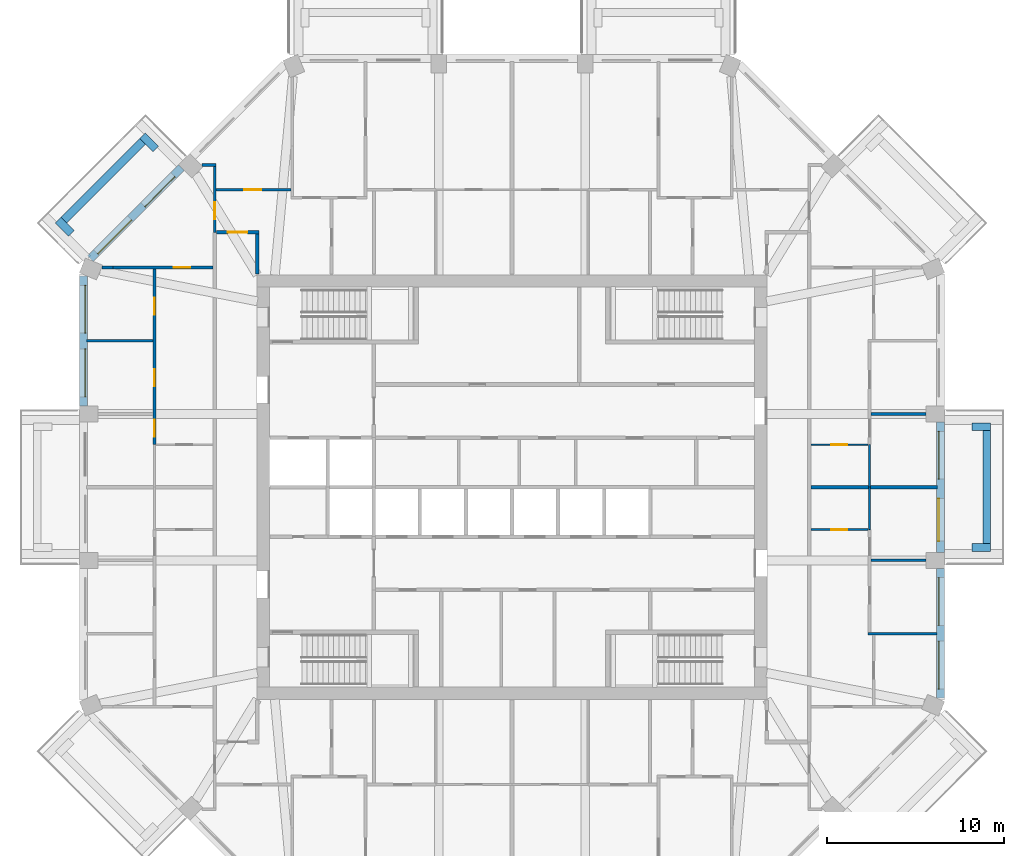
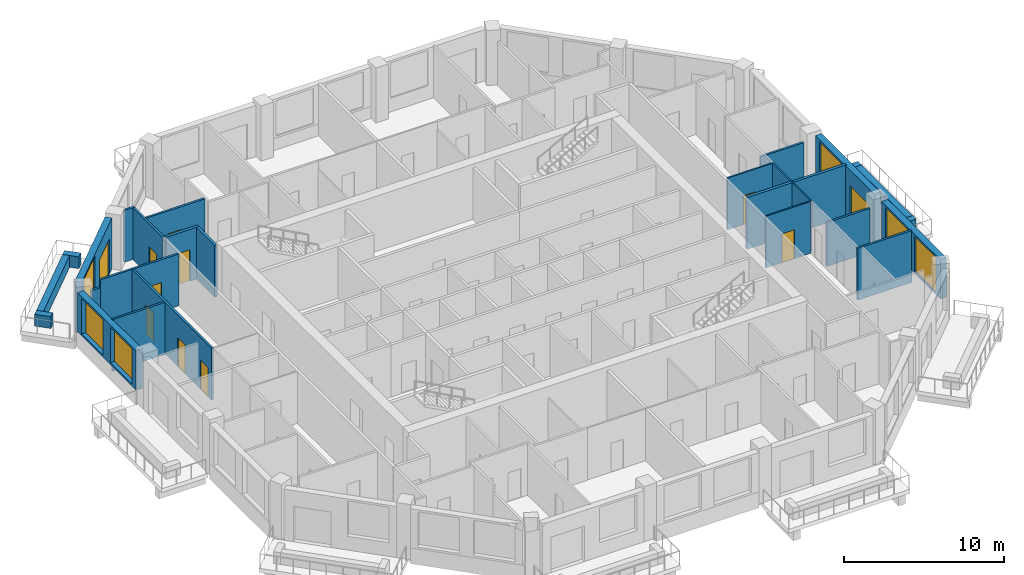
# One storey, part 7 of 12: 27 walls, 11 doors, 6 windows, 17 openings.
"""IFC4 building model written with IfcOpenShell, lengths in metres."""

from ifc_helpers import new_model, si_unit, direction, frame, frame_2d, origin, place, context, subcontext, project, spatial, rectangle, extrude, material, layer, layer_set, type_object, element, fill, save


model = new_model("IFC4")

# Units and contexts
model_context = context("Model", 3, precision=1e-05, world=origin(), true_north=direction((0.0, 1.0)))
body_context = subcontext(model_context, "Body", "Model", "MODEL_VIEW")
ifc_project = project(units=[si_unit("LENGTHUNIT", "METRE"), si_unit("AREAUNIT", "SQUARE_METRE"), si_unit("VOLUMEUNIT", "CUBIC_METRE"), si_unit("PLANEANGLEUNIT", "RADIAN"), si_unit("MASSUNIT", "GRAM", prefix="KILO")], contexts=[model_context])

# Site, building, storey
site_placement = place(None, origin())
site = spatial("IfcSite", under=ifc_project, at=site_placement, CompositionType="ELEMENT")
building_placement = place(site_placement, origin())
building = spatial("IfcBuilding", under=site, at=building_placement, Name="Msitu Wima Residences", CompositionType="ELEMENT")
storey_placement = place(building_placement, frame((0.0, 0.0, 183.300048828125)))
storey = spatial("IfcBuildingStorey", under=building, at=storey_placement, Name="L42", CompositionType="ELEMENT", Elevation=183.300048828125)

# Walls
ifc_material_1 = material(Name="Facing brick")
ifc_layer_1 = layer(ifc_material_1, 0.06494140625, Name="Facing brick")
ifc_material_2 = material(Name="Concrete C40/50", Category="concrete")
ifc_layer_2 = layer(ifc_material_2, 0.156005859375, Name="Concrete C40/50")
ifc_material_3 = material(Name="Waterproofing membrane")
ifc_layer_3 = layer(ifc_material_3, 0.00390625, Name="Waterproofing membrane")
ifc_material_4 = material(Name="Planting soil and planting")
ifc_layer_4 = layer(ifc_material_4, 0.22509765625, Name="Planting soil and planting")
ifc_layer_set_1 = layer_set([ifc_layer_1, ifc_layer_2, ifc_layer_3, ifc_layer_4], Name="Concrete C40/50")
wall_type_1 = type_object("IfcWallType", Name="Balcony planter PLANTER PL450", PredefinedType="USERDEFINED", material=ifc_layer_set_1)
wall_1_placement = place(storey_placement, frame((26.824951171875, -3.187255859375, 0.0), z_axis=(0.0, 0.0, 1.0), x_axis=(0.0, 1.0, 0.0)))
element("IfcWall", 1, at=wall_1_placement, inside=storey, type_object=wall_type_1, Name="Balcony planter E1 L42", ObjectType="PLANTER", PredefinedType="USERDEFINED", context=body_context, shape_type="SweptSolid", body=[
    extrude(rectangle(XDim=6.37451171875, YDim=0.449951171875, at=frame_2d((3.187255859375, 0.0))), origin(), (0.0, 0.0, 1.0), 0.89990234375),
])
for number, where, z_axis, x_axis, name in (
    (2, (26.0, -3.412353515625, 0.0), (0.0, 0.0, 1.0), (1.0, 0.0, 0.0), "Balcony planter E1 L42"),
    (3, (26.0, 3.412353515625, 0.0), (0.0, 0.0, 1.0), (1.0, 0.0, 0.0), "Balcony planter E1 L42"),
):
    element("IfcWall", number, at=place(storey_placement, frame(where, z_axis=z_axis, x_axis=x_axis)), inside=storey, type_object=wall_type_1, Name=name, ObjectType="PLANTER", PredefinedType="USERDEFINED", context=body_context, shape_type="SweptSolid", body=[
        extrude(rectangle(XDim=1.050048828125, YDim=0.449951171875, at=frame_2d((0.52490234375, 0.0))), origin(), (0.0, 0.0, 1.0), 0.89990234375),
    ])
wall_2_placement = place(storey_placement, frame((-20.875244140625, 19.53173828125, 0.0), z_axis=(0.0, 0.0, 1.0), x_axis=(-0.707106781187, -0.707106781187, 0.0)))
element("IfcWall", 4, at=wall_2_placement, inside=storey, type_object=wall_type_1, Name="Balcony planter NW1 L42", ObjectType="PLANTER", PredefinedType="USERDEFINED", context=body_context, shape_type="SweptSolid", body=[
    extrude(rectangle(XDim=6.294189453125, YDim=0.449951171875, at=frame_2d((3.14697265625, 0.0))), origin(), (0.0, 0.0, 1.0), 0.89990234375),
])
for number, where, z_axis, x_axis, name in (
    (5, (-20.1328125, 19.107421875, 0.0), (0.0, 0.0, 1.0), (-0.707106781187, 0.707106781187, 0.0), "Balcony planter NW1 L42"),
    (6, (-24.901611328125, 14.338623046875, 0.0), (0.0, 0.0, 1.0), (-0.707106781187, 0.707106781187, 0.0), "Balcony planter NW1 L42"),
):
    element("IfcWall", number, at=place(storey_placement, frame(where, z_axis=z_axis, x_axis=x_axis)), inside=storey, type_object=wall_type_1, Name=name, ObjectType="PLANTER", PredefinedType="USERDEFINED", context=body_context, shape_type="SweptSolid", body=[
        extrude(rectangle(XDim=1.050048828125, YDim=0.449951171875, at=frame_2d((0.52490234375, 0.0))), origin(), (0.0, 0.0, 1.0), 0.89990234375),
    ])

# Wall, openings, windows
ifc_material_5 = material(Name="Brick (red buff mix)", Category="masonry")
ifc_layer_5 = layer(ifc_material_5, 0.449951171875)
ifc_layer_set_2 = layer_set([ifc_layer_5], Name="Brick (red buff mix)")
wall_type_2 = type_object("IfcWallType", Name="Brick infill wall BW450", PredefinedType="SOLIDWALL", material=ifc_layer_set_2)
wall_3_placement = place(storey_placement, frame((24.22509765625, -11.9248046875, 0.89990234375), z_axis=(0.0, 0.0, 1.0), x_axis=(0.0, 1.0, 0.0)))
wall_3 = element("IfcWall", 7, at=wall_3_placement, inside=storey, type_object=wall_type_2, Name="Brick infill wall L42 E0", PredefinedType="SOLIDWALL", context=body_context, shape_type="SweptSolid", body=[
    extrude(rectangle(XDim=7.337646484375, YDim=0.449951171875, at=frame_2d((3.6689453125, 0.0))), origin(), (0.0, 0.0, 1.0), 3.0),
])
opening_1_placement = place(wall_3_placement, frame((0.518798828125, 0.0, 0.14990234375)))
opening_1 = element("IfcOpeningElement", 8, at=opening_1_placement, cuts=wall_3, Name="Opening W40-42.001", PredefinedType="OPENING", context=body_context, shape_type="SweptSolid", body=[
    extrude(rectangle(XDim=2.699951171875, YDim=2.699951171875, at=frame_2d((1.35009765625, 1.35009765625))), frame((0.0, 0.23486328125, 0.0), z_axis=(0.0, -1.0, 0.0), x_axis=(1.0, 0.0, 0.0)), (0.0, 0.0, 1.0), 0.469970703125),
])
opening_2_placement = place(wall_3_placement, frame((4.11865234375, 0.0, 0.14990234375)))
opening_2 = element("IfcOpeningElement", 9, at=opening_2_placement, cuts=wall_3, Name="Opening W40-42.002", PredefinedType="OPENING", context=body_context, shape_type="SweptSolid", body=[
    extrude(rectangle(XDim=2.699951171875, YDim=2.699951171875, at=frame_2d((1.35009765625, 1.35009765625))), frame((0.0, 0.23486328125, 0.0), z_axis=(0.0, -1.0, 0.0), x_axis=(1.0, 0.0, 0.0)), (0.0, 0.0, 1.0), 0.469970703125),
])
ifc_material_6 = material(Name="Anodised aluminium, bronze finish, clear low-emissivity double glazing", Category="aluminium")
window_type = type_object("IfcWindowType", Name="Window W2700x2700", PartitioningType="DOUBLE_PANEL_VERTICAL", PredefinedType="WINDOW", material=ifc_material_6)
window_1_placement = place(opening_1_placement, origin())
window_1 = element("IfcWindow", 10, at=window_1_placement, inside=storey, type_object=window_type, Name="Window L42 E0.1", OverallHeight=2.699951171875, OverallWidth=2.699951171875, PartitioningType="SINGLE_PANEL", PredefinedType="WINDOW", context=body_context, shape_type="SweptSolid", body=[
    extrude(rectangle(XDim=2.699951171875, YDim=2.699951171875, at=frame_2d((1.35009765625, 1.35009765625))), frame((0.0, 0.135009765625, 0.0), z_axis=(0.0, -1.0, 0.0), x_axis=(1.0, 0.0, 0.0)), (0.0, 0.0, 1.0), 0.06005859375),
])
fill(opening_1, window_1)
window_2_placement = place(opening_2_placement, origin())
window_2 = element("IfcWindow", 11, at=window_2_placement, inside=storey, type_object=window_type, Name="Window L42 E0.2", OverallHeight=2.699951171875, OverallWidth=2.699951171875, PartitioningType="SINGLE_PANEL", PredefinedType="WINDOW", context=body_context, shape_type="SweptSolid", body=[
    extrude(rectangle(XDim=2.699951171875, YDim=2.699951171875, at=frame_2d((1.35009765625, 1.35009765625))), frame((0.0, 0.135009765625, 0.0), z_axis=(0.0, -1.0, 0.0), x_axis=(1.0, 0.0, 0.0)), (0.0, 0.0, 1.0), 0.06005859375),
])
fill(opening_2, window_2)

# Wall, openings, door, window
wall_4_placement = place(storey_placement, frame((24.22509765625, -3.687255859375, 0.0), z_axis=(0.0, 0.0, 1.0), x_axis=(0.0, 1.0, 0.0)))
wall_4 = element("IfcWall", 12, at=wall_4_placement, inside=storey, type_object=wall_type_2, Name="Brick infill wall L42 E1", PredefinedType="SOLIDWALL", context=body_context, shape_type="SweptSolid", body=[
    extrude(rectangle(XDim=7.37451171875, YDim=0.449951171875, at=frame_2d((3.687255859375, 0.0))), origin(), (0.0, 0.0, 1.0), 3.89990234375),
])
opening_3_placement = place(wall_4_placement, frame((0.6435546875, 0.0, 0.0)))
opening_3 = element("IfcOpeningElement", 13, at=opening_3_placement, cuts=wall_4, Name="Opening D40-42.001", PredefinedType="OPENING", context=body_context, shape_type="SweptSolid", body=[
    extrude(rectangle(XDim=2.39990234375, YDim=2.699951171875, at=frame_2d((1.199951171875, 1.35009765625))), frame((0.0, 0.23486328125, 0.0), z_axis=(0.0, -1.0, 0.0), x_axis=(1.0, 0.0, 0.0)), (0.0, 0.0, 1.0), 0.469970703125),
])
opening_4_placement = place(wall_4_placement, frame((4.13720703125, 0.0, 1.050048828125)))
opening_4 = element("IfcOpeningElement", 14, at=opening_4_placement, cuts=wall_4, Name="Opening W40-42.003", PredefinedType="OPENING", context=body_context, shape_type="SweptSolid", body=[
    extrude(rectangle(XDim=2.699951171875, YDim=2.699951171875, at=frame_2d((1.35009765625, 1.35009765625))), frame((0.0, 0.23486328125, 0.0), z_axis=(0.0, -1.0, 0.0), x_axis=(1.0, 0.0, 0.0)), (0.0, 0.0, 1.0), 0.469970703125),
])
door_type_1 = type_object("IfcDoorType", Name="Balcony door D2400x2700", OperationType="SLIDING_TO_LEFT", PredefinedType="DOOR", material=ifc_material_6)
door_1_placement = place(opening_3_placement, origin())
door_1 = element("IfcDoor", 15, at=door_1_placement, inside=storey, type_object=door_type_1, Name="Balcony door L42 E1", OperationType="SINGLE_SWING_LEFT", OverallHeight=2.699951171875, OverallWidth=2.39990234375, PredefinedType="DOOR", context=body_context, shape_type="SweptSolid", body=[
    extrude(rectangle(XDim=2.39990234375, YDim=2.699951171875, at=frame_2d((1.199951171875, 1.35009765625))), frame((0.0, 0.1298828125, 0.0), z_axis=(0.0, -1.0, 0.0), x_axis=(1.0, 0.0, 0.0)), (0.0, 0.0, 1.0), 0.050048828125),
])
fill(opening_3, door_1)
window_3_placement = place(opening_4_placement, origin())
window_3 = element("IfcWindow", 16, at=window_3_placement, inside=storey, type_object=window_type, Name="Window L42 E1.2", OverallHeight=2.699951171875, OverallWidth=2.699951171875, PartitioningType="SINGLE_PANEL", PredefinedType="WINDOW", context=body_context, shape_type="SweptSolid", body=[
    extrude(rectangle(XDim=2.699951171875, YDim=2.699951171875, at=frame_2d((1.35009765625, 1.35009765625))), frame((0.0, 0.135009765625, 0.0), z_axis=(0.0, -1.0, 0.0), x_axis=(1.0, 0.0, 0.0)), (0.0, 0.0, 1.0), 0.06005859375),
])
fill(opening_4, window_3)

wall_5_placement = place(storey_placement, frame((-18.68310546875, 18.046875, 0.0), z_axis=(0.0, 0.0, 1.0), x_axis=(-0.707106781187, -0.707106781187, 0.0)))
wall_5 = element("IfcWall", 17, at=wall_5_placement, inside=storey, type_object=wall_type_2, Name="Brick infill wall L42 NW1", PredefinedType="SOLIDWALL", context=body_context, shape_type="SweptSolid", body=[
    extrude(rectangle(XDim=7.257080078125, YDim=0.449951171875, at=frame_2d((3.62841796875, 0.0))), origin(), (0.0, 0.0, 1.0), 3.89990234375),
])
opening_5_placement = place(wall_5_placement, frame((0.6142578125, 0.0, 0.0)))
opening_5 = element("IfcOpeningElement", 18, at=opening_5_placement, cuts=wall_5, Name="Opening D40-42.005", PredefinedType="OPENING", context=body_context, shape_type="SweptSolid", body=[
    extrude(rectangle(XDim=2.39990234375, YDim=2.699951171875, at=frame_2d((1.199951171875, 1.35009765625))), frame((0.0, 0.23486328125, 0.0), z_axis=(0.0, -1.0, 0.0), x_axis=(1.0, 0.0, 0.0)), (0.0, 0.0, 1.0), 0.469970703125),
])
opening_6_placement = place(wall_5_placement, frame((4.07861328125, 0.0, 1.050048828125)))
opening_6 = element("IfcOpeningElement", 19, at=opening_6_placement, cuts=wall_5, Name="Opening W40-42.015", PredefinedType="OPENING", context=body_context, shape_type="SweptSolid", body=[
    extrude(rectangle(XDim=2.699951171875, YDim=2.699951171875, at=frame_2d((1.35009765625, 1.35009765625))), frame((0.0, 0.23486328125, 0.0), z_axis=(0.0, -1.0, 0.0), x_axis=(1.0, 0.0, 0.0)), (0.0, 0.0, 1.0), 0.469970703125),
])
door_2_placement = place(opening_5_placement, origin())
door_2 = element("IfcDoor", 20, at=door_2_placement, inside=storey, type_object=door_type_1, Name="Balcony door L42 NW1", OperationType="SINGLE_SWING_LEFT", OverallHeight=2.699951171875, OverallWidth=2.39990234375, PredefinedType="DOOR", context=body_context, shape_type="SweptSolid", body=[
    extrude(rectangle(XDim=2.39990234375, YDim=2.699951171875, at=frame_2d((1.199951171875, 1.35009765625))), frame((0.0, 0.1298828125, 0.0), z_axis=(0.0, -1.0, 0.0), x_axis=(1.0, 0.0, 0.0)), (0.0, 0.0, 1.0), 0.050048828125),
])
fill(opening_5, door_2)
window_4_placement = place(opening_6_placement, origin())
window_4 = element("IfcWindow", 21, at=window_4_placement, inside=storey, type_object=window_type, Name="Window L42 NW1.2", OverallHeight=2.699951171875, OverallWidth=2.699951171875, PartitioningType="SINGLE_PANEL", PredefinedType="WINDOW", context=body_context, shape_type="SweptSolid", body=[
    extrude(rectangle(XDim=2.699951171875, YDim=2.699951171875, at=frame_2d((1.35009765625, 1.35009765625))), frame((0.0, 0.135009765625, 0.0), z_axis=(0.0, -1.0, 0.0), x_axis=(1.0, 0.0, 0.0)), (0.0, 0.0, 1.0), 0.06005859375),
])
fill(opening_6, window_4)

# Wall, openings, windows
wall_6_placement = place(storey_placement, frame((-24.22509765625, 11.9248046875, 0.89990234375), z_axis=(0.0, 0.0, 1.0), x_axis=(0.0, -1.0, 0.0)))
wall_6 = element("IfcWall", 22, at=wall_6_placement, inside=storey, type_object=wall_type_2, Name="Brick infill wall L42 W0", PredefinedType="SOLIDWALL", context=body_context, shape_type="SweptSolid", body=[
    extrude(rectangle(XDim=7.337646484375, YDim=0.449951171875, at=frame_2d((3.6689453125, 0.0))), origin(), (0.0, 0.0, 1.0), 3.0),
])
opening_7_placement = place(wall_6_placement, frame((0.518798828125, 0.0, 0.14990234375)))
opening_7 = element("IfcOpeningElement", 23, at=opening_7_placement, cuts=wall_6, Name="Opening W40-42.026", PredefinedType="OPENING", context=body_context, shape_type="SweptSolid", body=[
    extrude(rectangle(XDim=2.699951171875, YDim=2.699951171875, at=frame_2d((1.35009765625, 1.35009765625))), frame((0.0, 0.23486328125, 0.0), z_axis=(0.0, -1.0, 0.0), x_axis=(1.0, 0.0, 0.0)), (0.0, 0.0, 1.0), 0.469970703125),
])
opening_8_placement = place(wall_6_placement, frame((4.11865234375, 0.0, 0.14990234375)))
opening_8 = element("IfcOpeningElement", 24, at=opening_8_placement, cuts=wall_6, Name="Opening W40-42.027", PredefinedType="OPENING", context=body_context, shape_type="SweptSolid", body=[
    extrude(rectangle(XDim=2.699951171875, YDim=2.699951171875, at=frame_2d((1.35009765625, 1.35009765625))), frame((0.0, 0.23486328125, 0.0), z_axis=(0.0, -1.0, 0.0), x_axis=(1.0, 0.0, 0.0)), (0.0, 0.0, 1.0), 0.469970703125),
])
window_5_placement = place(opening_7_placement, origin())
window_5 = element("IfcWindow", 25, at=window_5_placement, inside=storey, type_object=window_type, Name="Window L42 W0.1", OverallHeight=2.699951171875, OverallWidth=2.699951171875, PartitioningType="SINGLE_PANEL", PredefinedType="WINDOW", context=body_context, shape_type="SweptSolid", body=[
    extrude(rectangle(XDim=2.699951171875, YDim=2.699951171875, at=frame_2d((1.35009765625, 1.35009765625))), frame((0.0, 0.135009765625, 0.0), z_axis=(0.0, -1.0, 0.0), x_axis=(1.0, 0.0, 0.0)), (0.0, 0.0, 1.0), 0.06005859375),
])
fill(opening_7, window_5)
window_6_placement = place(opening_8_placement, origin())
window_6 = element("IfcWindow", 26, at=window_6_placement, inside=storey, type_object=window_type, Name="Window L42 W0.2", OverallHeight=2.699951171875, OverallWidth=2.699951171875, PartitioningType="SINGLE_PANEL", PredefinedType="WINDOW", context=body_context, shape_type="SweptSolid", body=[
    extrude(rectangle(XDim=2.699951171875, YDim=2.699951171875, at=frame_2d((1.35009765625, 1.35009765625))), frame((0.0, 0.135009765625, 0.0), z_axis=(0.0, -1.0, 0.0), x_axis=(1.0, 0.0, 0.0)), (0.0, 0.0, 1.0), 0.06005859375),
])
fill(opening_8, window_6)

# Wall, opening, door
ifc_material_7 = material(Name="Plaster")
ifc_layer_6 = layer(ifc_material_7, 0.011962890625, Name="Plaster")
ifc_material_8 = material(Name="Concrete blockwork", Category="masonry")
ifc_layer_7 = layer(ifc_material_8, 0.176025390625, Name="Concrete blockwork")
ifc_layer_8 = layer(ifc_material_7, 0.011962890625, Name="Plaster")
ifc_layer_set_3 = layer_set([ifc_layer_6, ifc_layer_7, ifc_layer_8], Name="Concrete blockwork")
wall_type_3 = type_object("IfcWallType", Name="Corridor wall FW200", PredefinedType="PARTITIONING", material=ifc_layer_set_3)
wall_7_placement = place(storey_placement, frame((-16.699951171875, 14.39990234375, 0.0), z_axis=(0.0, 0.0, 1.0), x_axis=(1.0, 0.0, 0.0)))
wall_7 = element("IfcWall", 27, at=wall_7_placement, inside=storey, type_object=wall_type_3, Name="Corridor wall", PredefinedType="PARTITIONING", context=body_context, shape_type="SweptSolid", body=[
    extrude(rectangle(XDim=2.39990234375, YDim=0.199951171875, at=frame_2d((1.199951171875, 0.0))), origin(), (0.0, 0.0, 1.0), 3.949951171875),
])
opening_9_placement = place(wall_7_placement, frame((0.64990234375, 0.0, 0.0)))
opening_9 = element("IfcOpeningElement", 28, at=opening_9_placement, cuts=wall_7, Name="Opening D40-42.025", PredefinedType="OPENING", context=body_context, shape_type="SweptSolid", body=[
    extrude(rectangle(XDim=1.10009765625, YDim=2.39990234375, at=frame_2d((0.550048828125, 1.199951171875))), frame((0.0, 0.10986328125, 0.0), z_axis=(0.0, -1.0, 0.0), x_axis=(1.0, 0.0, 0.0)), (0.0, 0.0, 1.0), 0.219970703125),
])
ifc_material_9 = material(Name="Timber flush door, fire resisting, self-closing", Category="wood")
door_type_2 = type_object("IfcDoorType", Name="Flat entrance door D01 1100x2400", OperationType="SINGLE_SWING_LEFT", PredefinedType="DOOR", material=ifc_material_9)
door_3_placement = place(opening_9_placement, origin())
door_3 = element("IfcDoor", 29, at=door_3_placement, inside=storey, type_object=door_type_2, Name="Flat entrance door", OperationType="SINGLE_SWING_LEFT", OverallHeight=2.39990234375, OverallWidth=1.10009765625, PredefinedType="DOOR", context=body_context, shape_type="SweptSolid", body=[
    extrude(rectangle(XDim=1.10009765625, YDim=2.39990234375, at=frame_2d((0.550048828125, 1.199951171875))), frame((0.0, 0.02490234375, 0.0), z_axis=(0.0, -1.0, 0.0), x_axis=(1.0, 0.0, 0.0)), (0.0, 0.0, 1.0), 0.050048828125),
])
fill(opening_9, door_3)

# Walls
wall_8_placement = place(storey_placement, frame((-14.39990234375, 12.030029296875, 0.0), z_axis=(0.0, 0.0, 1.0), x_axis=(0.0, 1.0, 0.0)))
element("IfcWall", 30, at=wall_8_placement, inside=storey, type_object=wall_type_3, Name="Corridor wall", PredefinedType="PARTITIONING", context=body_context, shape_type="SweptSolid", body=[
    extrude(rectangle(XDim=2.27001953125, YDim=0.199951171875, at=frame_2d((1.135009765625, 0.0))), origin(), (0.0, 0.0, 1.0), 3.949951171875),
])
ifc_layer_9 = layer(ifc_material_7, 0.011962890625, Name="Plaster")
ifc_layer_10 = layer(ifc_material_8, 0.1259765625, Name="Concrete blockwork")
ifc_layer_11 = layer(ifc_material_7, 0.011962890625, Name="Plaster")
ifc_layer_set_4 = layer_set([ifc_layer_9, ifc_layer_10, ifc_layer_11], Name="Concrete blockwork")
wall_type_4 = type_object("IfcWallType", Name="Partition PW150", PredefinedType="PARTITIONING", material=ifc_layer_set_4)
wall_9_placement = place(storey_placement, frame((-24.054931640625, 8.2744140625, 0.0), z_axis=(0.0, 0.0, 1.0), x_axis=(1.0, 0.0, 0.0)))
element("IfcWall", 31, at=wall_9_placement, inside=storey, type_object=wall_type_4, Name="Partition", PredefinedType="PARTITIONING", context=body_context, shape_type="SweptSolid", body=[
    extrude(rectangle(XDim=3.780029296875, YDim=0.14990234375, at=frame_2d((1.89013671875, 0.0))), origin(), (0.0, 0.0, 1.0), 3.949951171875),
])
wall_10_placement = place(storey_placement, frame((-23.1689453125, 12.411865234375, 0.0), z_axis=(0.0, 0.0, 1.0), x_axis=(1.0, 0.0, 0.0)))
element("IfcWall", 32, at=wall_10_placement, inside=storey, type_object=wall_type_4, Name="Partition", PredefinedType="PARTITIONING", context=body_context, shape_type="SweptSolid", body=[
    extrude(rectangle(XDim=0.630615234375, YDim=0.14990234375, at=frame_2d((0.3154296875, 0.0))), origin(), (0.0, 0.0, 1.0), 3.349853515625),
])

# Wall, opening, door
wall_11_placement = place(storey_placement, frame((-22.538330078125, 12.411865234375, 0.0), z_axis=(0.0, 0.0, 1.0), x_axis=(1.0, 0.0, 0.0)))
wall_11 = element("IfcWall", 33, at=wall_11_placement, inside=storey, type_object=wall_type_4, Name="Partition", PredefinedType="PARTITIONING", context=body_context, shape_type="SweptSolid", body=[
    extrude(rectangle(XDim=5.638427734375, YDim=0.14990234375, at=frame_2d((2.8193359375, 0.0))), origin(), (0.0, 0.0, 1.0), 3.949951171875),
])
opening_10_placement = place(wall_11_placement, frame((3.41943359375, 0.0, 0.0)))
opening_10 = element("IfcOpeningElement", 34, at=opening_10_placement, cuts=wall_11, Name="Opening D40-42.035", PredefinedType="OPENING", context=body_context, shape_type="SweptSolid", body=[
    extrude(rectangle(XDim=0.949951171875, YDim=2.199951171875, at=frame_2d((0.47509765625, 1.10009765625))), frame((0.0, 0.0849609375, 0.0), z_axis=(0.0, -1.0, 0.0), x_axis=(1.0, 0.0, 0.0)), (0.0, 0.0, 1.0), 0.169921875),
])
ifc_material_10 = material(Name="Timber flush door", Category="wood")
door_type_3 = type_object("IfcDoorType", Name="Room door D12 950x2200", OperationType="SINGLE_SWING_LEFT", PredefinedType="DOOR", material=ifc_material_10)
door_4_placement = place(opening_10_placement, origin())
door_4 = element("IfcDoor", 35, at=door_4_placement, inside=storey, type_object=door_type_3, Name="Room door", OperationType="SINGLE_SWING_RIGHT", OverallHeight=2.199951171875, OverallWidth=0.949951171875, PredefinedType="DOOR", context=body_context, shape_type="SweptSolid", body=[
    extrude(rectangle(XDim=0.949951171875, YDim=2.199951171875, at=frame_2d((0.47509765625, 1.10009765625))), frame((0.0, 0.02490234375, 0.0), z_axis=(0.0, -1.0, 0.0), x_axis=(1.0, 0.0, 0.0)), (0.0, 0.0, 1.0), 0.050048828125),
])
fill(opening_10, door_4)

# Wall, openings, doors
wall_12_placement = place(storey_placement, frame((-20.199951171875, 2.39990234375, 0.0), z_axis=(0.0, 0.0, 1.0), x_axis=(0.0, 1.0, 0.0)))
wall_12 = element("IfcWall", 36, at=wall_12_placement, inside=storey, type_object=wall_type_4, Name="Partition", PredefinedType="PARTITIONING", context=body_context, shape_type="SweptSolid", body=[
    extrude(rectangle(XDim=9.936767578125, YDim=0.14990234375, at=frame_2d((4.96826171875, 0.0))), origin(), (0.0, 0.0, 1.0), 3.949951171875),
])
opening_11_placement = place(wall_12_placement, frame((0.449951171875, 0.0, 0.0)))
opening_11 = element("IfcOpeningElement", 37, at=opening_11_placement, cuts=wall_12, Name="Opening D40-42.036", PredefinedType="OPENING", context=body_context, shape_type="SweptSolid", body=[
    extrude(rectangle(XDim=0.949951171875, YDim=2.199951171875, at=frame_2d((0.47509765625, 1.10009765625))), frame((0.0, 0.0849609375, 0.0), z_axis=(0.0, -1.0, 0.0), x_axis=(1.0, 0.0, 0.0)), (0.0, 0.0, 1.0), 0.169921875),
])
opening_12_placement = place(wall_12_placement, frame((3.300048828125, 0.0, 0.0)))
opening_12 = element("IfcOpeningElement", 38, at=opening_12_placement, cuts=wall_12, Name="Opening D40-42.037", PredefinedType="OPENING", context=body_context, shape_type="SweptSolid", body=[
    extrude(rectangle(XDim=0.949951171875, YDim=2.199951171875, at=frame_2d((0.47509765625, 1.10009765625))), frame((0.0, 0.0849609375, 0.0), z_axis=(0.0, -1.0, 0.0), x_axis=(1.0, 0.0, 0.0)), (0.0, 0.0, 1.0), 0.169921875),
])
opening_13_placement = place(wall_12_placement, frame((7.35009765625, 0.0, 0.0)))
opening_13 = element("IfcOpeningElement", 39, at=opening_13_placement, cuts=wall_12, Name="Opening D40-42.038", PredefinedType="OPENING", context=body_context, shape_type="SweptSolid", body=[
    extrude(rectangle(XDim=0.949951171875, YDim=2.199951171875, at=frame_2d((0.47509765625, 1.10009765625))), frame((0.0, 0.0849609375, 0.0), z_axis=(0.0, -1.0, 0.0), x_axis=(1.0, 0.0, 0.0)), (0.0, 0.0, 1.0), 0.169921875),
])
door_5_placement = place(opening_11_placement, origin())
door_5 = element("IfcDoor", 40, at=door_5_placement, inside=storey, type_object=door_type_3, Name="Room door", OperationType="SINGLE_SWING_RIGHT", OverallHeight=2.199951171875, OverallWidth=0.949951171875, PredefinedType="DOOR", context=body_context, shape_type="SweptSolid", body=[
    extrude(rectangle(XDim=0.949951171875, YDim=2.199951171875, at=frame_2d((0.47509765625, 1.10009765625))), frame((0.0, 0.02490234375, 0.0), z_axis=(0.0, -1.0, 0.0), x_axis=(1.0, 0.0, 0.0)), (0.0, 0.0, 1.0), 0.050048828125),
])
fill(opening_11, door_5)
door_6_placement = place(opening_12_placement, origin())
door_6 = element("IfcDoor", 41, at=door_6_placement, inside=storey, type_object=door_type_3, Name="Room door", OperationType="SINGLE_SWING_RIGHT", OverallHeight=2.199951171875, OverallWidth=0.949951171875, PredefinedType="DOOR", context=body_context, shape_type="SweptSolid", body=[
    extrude(rectangle(XDim=0.949951171875, YDim=2.199951171875, at=frame_2d((0.47509765625, 1.10009765625))), frame((0.0, 0.02490234375, 0.0), z_axis=(0.0, -1.0, 0.0), x_axis=(1.0, 0.0, 0.0)), (0.0, 0.0, 1.0), 0.050048828125),
])
fill(opening_12, door_6)
door_7_placement = place(opening_13_placement, origin())
door_7 = element("IfcDoor", 42, at=door_7_placement, inside=storey, type_object=door_type_3, Name="Room door", OperationType="SINGLE_SWING_LEFT", OverallHeight=2.199951171875, OverallWidth=0.949951171875, PredefinedType="DOOR", context=body_context, shape_type="SweptSolid", body=[
    extrude(rectangle(XDim=0.949951171875, YDim=2.199951171875, at=frame_2d((0.47509765625, 1.10009765625))), frame((0.0, 0.02490234375, 0.0), z_axis=(0.0, -1.0, 0.0), x_axis=(1.0, 0.0, 0.0)), (0.0, 0.0, 1.0), 0.050048828125),
])
fill(opening_13, door_7)

# Wall
wall_13_placement = place(storey_placement, frame((-17.509521484375, 18.205810546875, 0.0), z_axis=(0.0, 0.0, 1.0), x_axis=(1.0, 0.0, 0.0)))
element("IfcWall", 43, at=wall_13_placement, inside=storey, type_object=wall_type_4, Name="Partition", PredefinedType="PARTITIONING", context=body_context, shape_type="SweptSolid", body=[
    extrude(rectangle(XDim=0.784423828125, YDim=0.14990234375, at=frame_2d((0.39208984375, 0.0))), origin(), (0.0, 0.0, 1.0), 3.949951171875),
])

# Wall, opening, door
wall_14_placement = place(storey_placement, frame((-16.800048828125, 14.39990234375, 0.0), z_axis=(0.0, 0.0, 1.0), x_axis=(0.0, 1.0, 0.0)))
wall_14 = element("IfcWall", 44, at=wall_14_placement, inside=storey, type_object=wall_type_4, Name="Partition", PredefinedType="PARTITIONING", context=body_context, shape_type="SweptSolid", body=[
    extrude(rectangle(XDim=3.73095703125, YDim=0.14990234375, at=frame_2d((1.865478515625, 0.0))), origin(), (0.0, 0.0, 1.0), 3.949951171875),
])
opening_14_placement = place(wall_14_placement, frame((0.75, 0.0, 0.0)))
opening_14 = element("IfcOpeningElement", 45, at=opening_14_placement, cuts=wall_14, Name="Opening D40-42.033", PredefinedType="OPENING", context=body_context, shape_type="SweptSolid", body=[
    extrude(rectangle(XDim=0.949951171875, YDim=2.199951171875, at=frame_2d((0.47509765625, 1.10009765625))), frame((0.0, 0.0849609375, 0.0), z_axis=(0.0, -1.0, 0.0), x_axis=(1.0, 0.0, 0.0)), (0.0, 0.0, 1.0), 0.169921875),
])
door_8_placement = place(opening_14_placement, origin())
door_8 = element("IfcDoor", 46, at=door_8_placement, inside=storey, type_object=door_type_3, Name="Room door", OperationType="SINGLE_SWING_RIGHT", OverallHeight=2.199951171875, OverallWidth=0.949951171875, PredefinedType="DOOR", context=body_context, shape_type="SweptSolid", body=[
    extrude(rectangle(XDim=0.949951171875, YDim=2.199951171875, at=frame_2d((0.47509765625, 1.10009765625))), frame((0.0, 0.02490234375, 0.0), z_axis=(0.0, -1.0, 0.0), x_axis=(1.0, 0.0, 0.0)), (0.0, 0.0, 1.0), 0.050048828125),
])
fill(opening_14, door_8)

wall_15_placement = place(storey_placement, frame((-16.72509765625, 16.800048828125, 0.0), z_axis=(0.0, 0.0, 1.0), x_axis=(1.0, 0.0, 0.0)))
wall_15 = element("IfcWall", 47, at=wall_15_placement, inside=storey, type_object=wall_type_4, Name="Partition", PredefinedType="PARTITIONING", context=body_context, shape_type="SweptSolid", body=[
    extrude(rectangle(XDim=4.23828125, YDim=0.14990234375, at=frame_2d((2.119140625, 0.0))), origin(), (0.0, 0.0, 1.0), 3.949951171875),
])
opening_15_placement = place(wall_15_placement, frame((1.60009765625, 0.0, 0.0)))
opening_15 = element("IfcOpeningElement", 48, at=opening_15_placement, cuts=wall_15, Name="Opening D40-42.032", PredefinedType="OPENING", context=body_context, shape_type="SweptSolid", body=[
    extrude(rectangle(XDim=0.949951171875, YDim=2.199951171875, at=frame_2d((0.47509765625, 1.10009765625))), frame((0.0, 0.0849609375, 0.0), z_axis=(0.0, -1.0, 0.0), x_axis=(1.0, 0.0, 0.0)), (0.0, 0.0, 1.0), 0.169921875),
])
door_9_placement = place(opening_15_placement, origin())
door_9 = element("IfcDoor", 49, at=door_9_placement, inside=storey, type_object=door_type_3, Name="Room door", OperationType="SINGLE_SWING_LEFT", OverallHeight=2.199951171875, OverallWidth=0.949951171875, PredefinedType="DOOR", context=body_context, shape_type="SweptSolid", body=[
    extrude(rectangle(XDim=0.949951171875, YDim=2.199951171875, at=frame_2d((0.47509765625, 1.10009765625))), frame((0.0, 0.02490234375, 0.0), z_axis=(0.0, -1.0, 0.0), x_axis=(1.0, 0.0, 0.0)), (0.0, 0.0, 1.0), 0.050048828125),
])
fill(opening_15, door_9)

# Walls
wall_16_placement = place(storey_placement, frame((20.125, -8.2744140625, 0.0), z_axis=(0.0, 0.0, 1.0), x_axis=(1.0, 0.0, 0.0)))
element("IfcWall", 50, at=wall_16_placement, inside=storey, type_object=wall_type_4, Name="Partition", PredefinedType="PARTITIONING", context=body_context, shape_type="SweptSolid", body=[
    extrude(rectangle(XDim=3.89990234375, YDim=0.14990234375, at=frame_2d((1.949951171875, 0.0))), origin(), (0.0, 0.0, 1.0), 3.949951171875),
])
for number, where, z_axis, x_axis, name in (
    (51, (20.27490234375, -4.13720703125, 0.0), (0.0, 0.0, 1.0), (1.0, 0.0, 0.0), "Partition"),
    (52, (20.27490234375, 4.13720703125, 0.0), (0.0, 0.0, 1.0), (1.0, 0.0, 0.0), "Partition"),
):
    element("IfcWall", number, at=place(storey_placement, frame(where, z_axis=z_axis, x_axis=x_axis)), inside=storey, type_object=wall_type_4, Name=name, PredefinedType="PARTITIONING", context=body_context, shape_type="SweptSolid", body=[
        extrude(rectangle(XDim=3.125, YDim=0.14990234375, at=frame_2d((1.5625, 0.0))), origin(), (0.0, 0.0, 1.0), 3.349853515625),
    ])
ifc_layer_12 = layer(ifc_material_7, 0.011962890625, Name="Plaster")
ifc_material_11 = material(Name="Dense concrete blockwork", Category="masonry")
ifc_layer_13 = layer(ifc_material_11, 0.176025390625, Name="Dense concrete blockwork")
ifc_layer_14 = layer(ifc_material_7, 0.011962890625, Name="Plaster")
ifc_layer_set_5 = layer_set([ifc_layer_12, ifc_layer_13, ifc_layer_14], Name="Dense concrete blockwork")
wall_type_5 = type_object("IfcWallType", Name="Party wall PW200", PredefinedType="PARTITIONING", material=ifc_layer_set_5)
wall_17_placement = place(storey_placement, frame((16.89990234375, 0.0, 0.0), z_axis=(0.0, 0.0, 1.0), x_axis=(1.0, 0.0, 0.0)))
element("IfcWall", 53, at=wall_17_placement, inside=storey, type_object=wall_type_5, Name="Party wall", PredefinedType="PARTITIONING", context=body_context, shape_type="SweptSolid", body=[
    extrude(rectangle(XDim=7.155029296875, YDim=0.199951171875, at=frame_2d((3.57763671875, 0.0))), origin(), (0.0, 0.0, 1.0), 3.949951171875),
])

# Wall, opening, door
ifc_material_12 = material(Name="Ceramic tiles")
ifc_layer_15 = layer(ifc_material_12, 0.008056640625, Name="Ceramic tiles")
ifc_material_13 = material(Name="Moisture-resistant board")
ifc_layer_16 = layer(ifc_material_13, 0.012451171875, Name="Moisture-resistant board")
ifc_material_14 = material(Name="Light-gauge stud framing with mineral wool")
ifc_layer_17 = layer(ifc_material_14, 0.06689453125, Name="Light-gauge stud framing with mineral wool")
ifc_layer_18 = layer(ifc_material_13, 0.012451171875, Name="Moisture-resistant board")
ifc_layer_set_6 = layer_set([ifc_layer_15, ifc_layer_16, ifc_layer_17, ifc_layer_18], Name="Light-gauge stud framing with mineral wool")
wall_type_6 = type_object("IfcWallType", Name="Wet wall PW100", PredefinedType="PARTITIONING", material=ifc_layer_set_6)
wall_18_placement = place(storey_placement, frame((16.89990234375, -2.39990234375, 0.0), z_axis=(0.0, 0.0, 1.0), x_axis=(1.0, 0.0, 0.0)))
wall_18 = element("IfcWall", 54, at=wall_18_placement, inside=storey, type_object=wall_type_6, Name="Wet wall", PredefinedType="PARTITIONING", context=body_context, shape_type="SweptSolid", body=[
    extrude(rectangle(XDim=3.22509765625, YDim=0.10009765625, at=frame_2d((1.612548828125, 0.0))), origin(), (0.0, 0.0, 1.0), 3.949951171875),
])
opening_16_placement = place(wall_18_placement, frame((1.14990234375, 0.0, 0.0)))
opening_16 = element("IfcOpeningElement", 55, at=opening_16_placement, cuts=wall_18, Name="Opening D40-42.057", PredefinedType="OPENING", context=body_context, shape_type="SweptSolid", body=[
    extrude(rectangle(XDim=0.89990234375, YDim=2.199951171875, at=frame_2d((0.449951171875, 1.10009765625))), frame((0.0, 0.06005859375, 0.0), z_axis=(0.0, -1.0, 0.0), x_axis=(1.0, 0.0, 0.0)), (0.0, 0.0, 1.0), 0.1201171875),
])
ifc_material_15 = material(Name="Timber flush door, moisture resistant", Category="wood")
door_type_4 = type_object("IfcDoorType", Name="Bathroom door D03 900x2200", OperationType="SINGLE_SWING_LEFT", PredefinedType="DOOR", material=ifc_material_15)
door_10_placement = place(opening_16_placement, origin())
door_10 = element("IfcDoor", 56, at=door_10_placement, inside=storey, type_object=door_type_4, Name="Bathroom door", OperationType="SINGLE_SWING_LEFT", OverallHeight=2.199951171875, OverallWidth=0.89990234375, PredefinedType="DOOR", context=body_context, shape_type="SweptSolid", body=[
    extrude(rectangle(XDim=0.89990234375, YDim=2.199951171875, at=frame_2d((0.449951171875, 1.10009765625))), frame((0.0, 0.02490234375, 0.0), z_axis=(0.0, -1.0, 0.0), x_axis=(1.0, 0.0, 0.0)), (0.0, 0.0, 1.0), 0.050048828125),
])
fill(opening_16, door_10)

wall_19_placement = place(storey_placement, frame((16.89990234375, 2.39990234375, 0.0), z_axis=(0.0, 0.0, 1.0), x_axis=(1.0, 0.0, 0.0)))
wall_19 = element("IfcWall", 57, at=wall_19_placement, inside=storey, type_object=wall_type_6, Name="Wet wall", PredefinedType="PARTITIONING", context=body_context, shape_type="SweptSolid", body=[
    extrude(rectangle(XDim=3.22509765625, YDim=0.10009765625, at=frame_2d((1.612548828125, 0.0))), origin(), (0.0, 0.0, 1.0), 3.949951171875),
])
opening_17_placement = place(wall_19_placement, frame((1.14990234375, 0.0, 0.0)))
opening_17 = element("IfcOpeningElement", 58, at=opening_17_placement, cuts=wall_19, Name="Opening D40-42.015", PredefinedType="OPENING", context=body_context, shape_type="SweptSolid", body=[
    extrude(rectangle(XDim=0.89990234375, YDim=2.199951171875, at=frame_2d((0.449951171875, 1.10009765625))), frame((0.0, 0.06005859375, 0.0), z_axis=(0.0, -1.0, 0.0), x_axis=(1.0, 0.0, 0.0)), (0.0, 0.0, 1.0), 0.1201171875),
])
door_11_placement = place(opening_17_placement, origin())
door_11 = element("IfcDoor", 59, at=door_11_placement, inside=storey, type_object=door_type_4, Name="Bathroom door", OperationType="SINGLE_SWING_RIGHT", OverallHeight=2.199951171875, OverallWidth=0.89990234375, PredefinedType="DOOR", context=body_context, shape_type="SweptSolid", body=[
    extrude(rectangle(XDim=0.89990234375, YDim=2.199951171875, at=frame_2d((0.449951171875, 1.10009765625))), frame((0.0, 0.02490234375, 0.0), z_axis=(0.0, -1.0, 0.0), x_axis=(1.0, 0.0, 0.0)), (0.0, 0.0, 1.0), 0.050048828125),
])
fill(opening_17, door_11)

# Walls
for number, where, z_axis, x_axis, name in (
    (60, (20.199951171875, -2.39990234375, 0.0), (0.0, 0.0, 1.0), (0.0, 1.0, 0.0), "Wet wall"),
    (61, (20.199951171875, 0.0, 0.0), (0.0, 0.0, 1.0), (0.0, 1.0, 0.0), "Wet wall"),
):
    element("IfcWall", number, at=place(storey_placement, frame(where, z_axis=z_axis, x_axis=x_axis)), inside=storey, type_object=wall_type_6, Name=name, PredefinedType="PARTITIONING", context=body_context, shape_type="SweptSolid", body=[
        extrude(rectangle(XDim=2.39990234375, YDim=0.10009765625, at=frame_2d((1.199951171875, 0.0))), origin(), (0.0, 0.0, 1.0), 3.949951171875),
    ])

save(model, "model.ifc")
